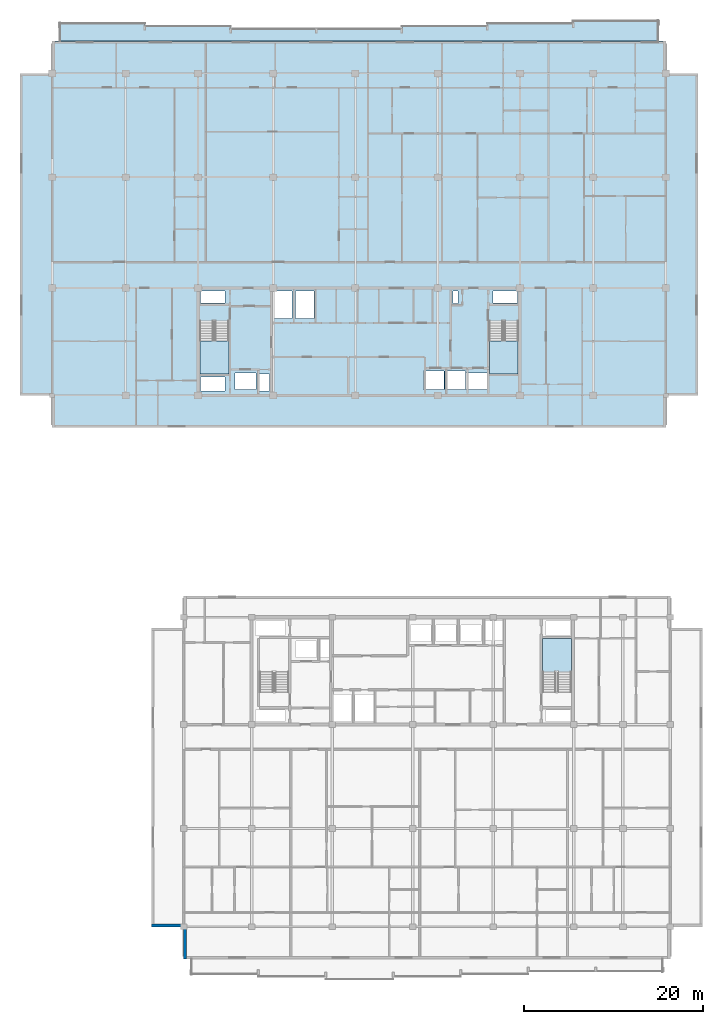
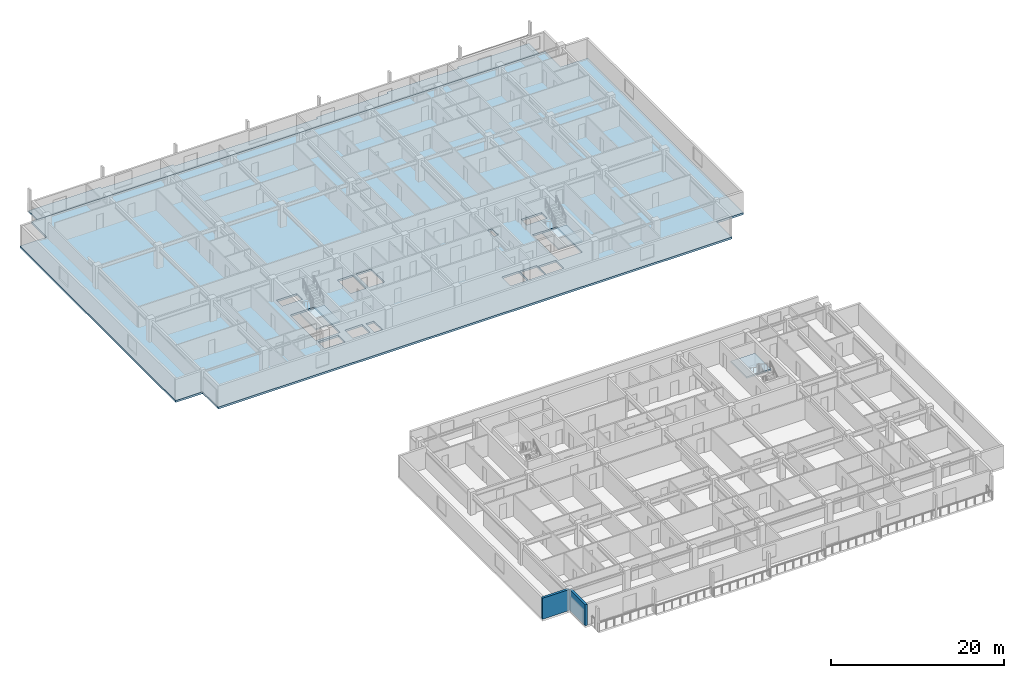
# One storey, part 3 of 22: 5 slabs, 2 walls, 3 elements without a shape of their own.
"""IFC4 building model written with IfcOpenShell, lengths in metres."""

from ifc_helpers import new_model, si_unit, direction, frame, frame_2d, origin, place, context, subcontext, project, spatial, polyline, rectangle, outline, extrude, material, layer, layer_set, type_object, element, aggregate, save


model = new_model("IFC4")

# Units and contexts
model_context = context("Model", 3, precision=1e-05, world=origin(), true_north=direction((0.0, 1.0)))
body_context = subcontext(model_context, "Body", "Model", "MODEL_VIEW")
ifc_project = project(units=[si_unit("LENGTHUNIT", "METRE"), si_unit("AREAUNIT", "SQUARE_METRE"), si_unit("VOLUMEUNIT", "CUBIC_METRE"), si_unit("PLANEANGLEUNIT", "RADIAN"), si_unit("MASSUNIT", "GRAM", prefix="KILO")], contexts=[model_context])

# Site, building, storey
site_placement = place(None, origin())
site = spatial("IfcSite", under=ifc_project, at=site_placement, CompositionType="ELEMENT")
building_placement = place(site_placement, origin())
building = spatial("IfcBuilding", under=site, at=building_placement, Name="Korimba Cascade Residences", CompositionType="ELEMENT")
storey_placement = place(building_placement, frame((0.0, 0.0, 181.60009765625)))
storey = spatial("IfcBuildingStorey", under=building, at=storey_placement, Name="L52", CompositionType="ELEMENT", Elevation=181.60009765625)

# Stair, slab
ifc_material_1 = material(Name="Concrete C50/60", Category="concrete")
stair_type_1 = type_object("IfcStairType", Name="STR-W1-18R-1806", PredefinedType="HALF_TURN_STAIR", material=ifc_material_1)
stair_1_placement = place(storey_placement, origin())
stair_1 = element("IfcStair", 1, at=stair_1_placement, inside=storey, type_object=stair_type_1, Name="L52 Tower 1 West Fire Stair ST-W1", PredefinedType="HALF_TURN_STAIR")
ifc_layer_1 = layer(ifc_material_1, 0.199951171875)
ifc_layer_set_1 = layer_set([ifc_layer_1], Name="Concrete C50/60")
slab_type_1 = type_object("IfcSlabType", Name="SLB-LND-220", PredefinedType="LANDING", material=ifc_layer_set_1)
slab_1_placement = place(storey_placement, frame((0.0, 0.0, 1.4248046875)))
slab_1 = element("IfcSlab", 2, at=slab_1_placement, type_object=slab_type_1, Name="ST-W1 landing 1", PredefinedType="LANDING", context=body_context, shape_type="SweptSolid", body=[
    extrude(outline(polyline([(76.300048828125, 61.31005859375), (76.300048828125, 57.60009765625), (79.5400390625, 57.60009765625), (79.5400390625, 61.31005859375), (76.300048828125, 61.31005859375)])), origin(), (0.0, 0.0, 1.0), 0.2001953125),
])
aggregate(stair_1, [slab_1])

stair_type_2 = type_object("IfcStairType", Name="STR-W2-18R-1806", PredefinedType="HALF_TURN_STAIR", material=ifc_material_1)
stair_2_placement = place(storey_placement, origin())
stair_2 = element("IfcStair", 3, at=stair_2_placement, inside=storey, type_object=stair_type_2, Name="L52 Tower 1 East Fire Stair ST-W2", PredefinedType="HALF_TURN_STAIR")
slab_2_placement = place(storey_placement, frame((0.0, 0.0, 1.4248046875)))
slab_2 = element("IfcSlab", 4, at=slab_2_placement, type_object=slab_type_1, Name="ST-W2 landing 1", PredefinedType="LANDING", context=body_context, shape_type="SweptSolid", body=[
    extrude(outline(polyline([(108.659912109375, 61.31005859375), (108.659912109375, 57.60009765625), (111.89990234375, 57.60009765625), (111.89990234375, 61.31005859375), (108.659912109375, 61.31005859375)])), origin(), (0.0, 0.0, 1.0), 0.2001953125),
])
aggregate(stair_2, [slab_2])

stair_type_3 = type_object("IfcStairType", Name="STR-E2-18R-1806", PredefinedType="HALF_TURN_STAIR", material=ifc_material_1)
stair_3_placement = place(storey_placement, origin())
stair_3 = element("IfcStair", 5, at=stair_3_placement, inside=storey, type_object=stair_type_3, Name="L52 Tower 2 East Fire Stair ST-E2", PredefinedType="HALF_TURN_STAIR")
slab_3_placement = place(storey_placement, frame((0.0, 0.0, 1.4248046875)))
slab_3 = element("IfcSlab", 6, at=slab_3_placement, type_object=slab_type_1, Name="ST-E2 landing 1", PredefinedType="LANDING", context=body_context, shape_type="SweptSolid", body=[
    extrude(outline(polyline([(117.840087890625, 24.2900390625), (117.840087890625, 28.0), (114.60009765625, 28.0), (114.60009765625, 24.2900390625), (117.840087890625, 24.2900390625)])), origin(), (0.0, 0.0, 1.0), 0.2001953125),
])
aggregate(stair_3, [slab_3])

# Slabs
ifc_material_2 = material(Name="Precast concrete C40/50", Category="concrete")
ifc_layer_2 = layer(ifc_material_2, 0.239990234375)
ifc_layer_set_2 = layer_set([ifc_layer_2], Name="Precast concrete C40/50")
slab_type_2 = type_object("IfcSlabType", Name="SLB-LOG-240", PredefinedType="FLOOR", material=ifc_layer_set_2)
slab_4_placement = place(storey_placement, frame((0.0, 0.0, -0.239990234375)))
element("IfcSlab", 7, at=slab_4_placement, inside=storey, type_object=slab_type_2, Name="L52 Tower 1 North Loggia Slab", PredefinedType="FLOOR", context=body_context, shape_type="SweptSolid", body=[
    extrude(outline(polyline([(60.60009765625, 94.800048828125), (127.60009765625, 94.800048828125), (127.60009765625, 97.14990234375), (118.028564453125, 97.14990234375), (118.028564453125, 96.85009765625), (108.45703125, 96.85009765625), (108.45703125, 96.550048828125), (98.8857421875, 96.550048828125), (98.8857421875, 96.25), (79.742919921875, 96.25), (79.742919921875, 96.550048828125), (70.17138671875, 96.550048828125), (70.17138671875, 96.85009765625), (60.60009765625, 96.85009765625), (60.60009765625, 94.800048828125)])), origin(), (0.0, 0.0, 1.0), 0.239990234375),
])
ifc_layer_3 = layer(ifc_material_1, 0.280029296875)
ifc_layer_set_3 = layer_set([ifc_layer_3], Name="Concrete C50/60")
slab_type_3 = type_object("IfcSlabType", Name="SLB-TYP-280", PredefinedType="FLOOR", material=ifc_layer_set_3)
slab_5_placement = place(storey_placement, frame((0.0, 0.0, -0.280029296875)))
element("IfcSlab", 8, at=slab_5_placement, inside=storey, type_object=slab_type_3, Name="L52 Tower 1 Floor Slab", PredefinedType="FLOOR", context=body_context, shape_type="SweptSolid", body=[
    extrude(outline(polyline([(59.800048828125, 51.60009765625), (128.39990234375, 51.60009765625), (128.39990234375, 55.199951171875), (132.0, 55.199951171875), (132.0, 91.199951171875), (128.39990234375, 91.199951171875), (128.39990234375, 94.800048828125), (59.800048828125, 94.800048828125), (59.800048828125, 91.199951171875), (56.199951171875, 91.199951171875), (56.199951171875, 55.199951171875), (59.800048828125, 55.199951171875), (59.800048828125, 51.60009765625)]), holes=[polyline([(76.300048828125, 63.514892578125), (76.300048828125, 57.60009765625), (79.5400390625, 57.60009765625), (79.5400390625, 63.514892578125), (76.300048828125, 63.514892578125)]), polyline([(108.659912109375, 63.514892578125), (108.659912109375, 57.60009765625), (111.89990234375, 57.60009765625), (111.89990234375, 63.514892578125), (108.659912109375, 63.514892578125)]), polyline([(80.22998046875, 55.8798828125), (82.570068359375, 55.8798828125), (82.570068359375, 57.719970703125), (80.22998046875, 57.719970703125), (80.22998046875, 55.8798828125)]), polyline([(106.080078125, 55.8798828125), (108.419921875, 55.8798828125), (108.419921875, 57.719970703125), (106.080078125, 57.719970703125), (106.080078125, 55.8798828125)]), polyline([(101.304931640625, 55.8798828125), (103.594970703125, 55.8798828125), (103.594970703125, 57.919921875), (101.304931640625, 57.919921875), (101.304931640625, 55.8798828125)]), polyline([(103.705078125, 55.8798828125), (105.9951171875, 55.8798828125), (105.9951171875, 57.919921875), (103.705078125, 57.919921875), (103.705078125, 55.8798828125)]), polyline([(82.97998046875, 55.679931640625), (84.080078125, 55.679931640625), (84.080078125, 57.6201171875), (82.97998046875, 57.6201171875), (82.97998046875, 55.679931640625)]), polyline([(76.39990234375, 65.56005859375), (79.10009765625, 65.56005859375), (79.10009765625, 66.8798828125), (76.39990234375, 66.8798828125), (76.39990234375, 65.56005859375)]), polyline([(76.39990234375, 55.679931640625), (79.10009765625, 55.679931640625), (79.10009765625, 57.239990234375), (76.39990234375, 57.239990234375), (76.39990234375, 55.679931640625)]), polyline([(84.530029296875, 63.820068359375), (86.6201171875, 63.820068359375), (86.6201171875, 66.8798828125), (84.530029296875, 66.8798828125), (84.530029296875, 63.820068359375)]), polyline([(86.97998046875, 63.820068359375), (89.070068359375, 63.820068359375), (89.070068359375, 66.8798828125), (86.97998046875, 66.8798828125), (86.97998046875, 63.820068359375)]), polyline([(104.6201171875, 65.4599609375), (105.179931640625, 65.4599609375), (105.179931640625, 66.8798828125), (104.6201171875, 66.8798828125), (104.6201171875, 65.4599609375)]), polyline([(109.080078125, 65.56005859375), (111.800048828125, 65.56005859375), (111.800048828125, 66.8798828125), (109.080078125, 66.8798828125), (109.080078125, 65.56005859375)])]), origin(), (0.0, 0.0, 1.0), 0.280029296875),
])

# Walls
ifc_layer_4 = layer(ifc_material_2, 0.300048828125)
ifc_layer_set_4 = layer_set([ifc_layer_4], Name="Precast concrete C40/50")
wall_type = type_object("IfcWallType", Name="EW-STONE-300", PredefinedType="STANDARD", material=ifc_layer_set_4)
for number, where, z_axis, x_axis, name in (
    (9, (70.89990234375, -4.050048828125, 0.0), (0.0, 0.0, 1.0), (1.0, 0.0, 0.0), "L52 T2 Perimeter Stone Wall E10"),
    (10, (74.64990234375, -4.199951171875, 0.0), (0.0, 0.0, 1.0), (0.0, -1.0, 0.0), "L52 T2 Perimeter Stone Wall E11"),
):
    element("IfcWall", number, at=place(storey_placement, frame(where, z_axis=z_axis, x_axis=x_axis)), inside=storey, type_object=wall_type, Name=name, PredefinedType="STANDARD", context=body_context, shape_type="SweptSolid", body=[
        extrude(rectangle(XDim=3.60009765625, YDim=0.300048828125, at=frame_2d((1.800048828125, 0.0))), origin(), (0.0, 0.0, 1.0), 2.969970703125),
    ])

save(model, "model.ifc")
